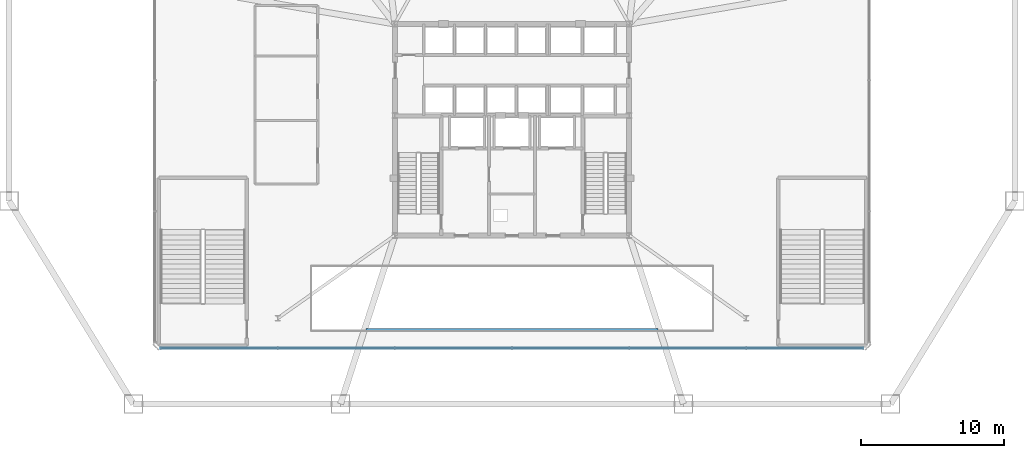
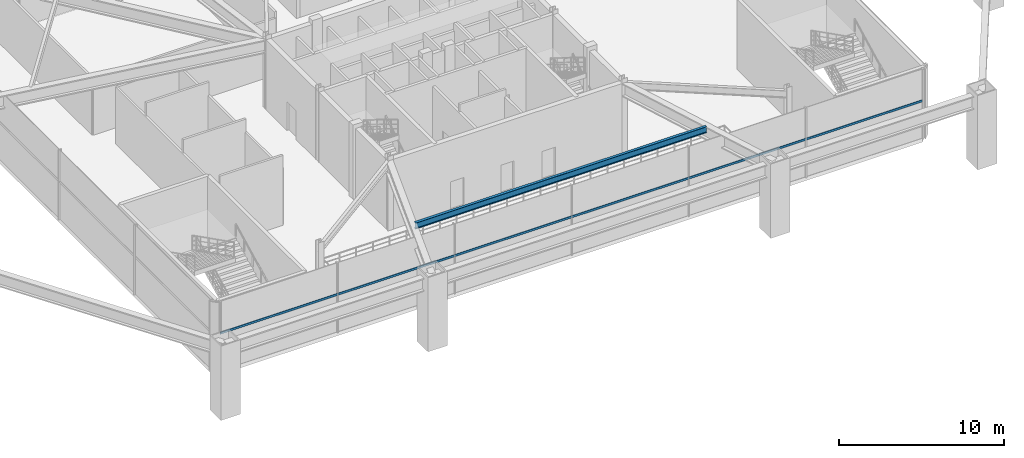
# One storey, part 7 of 18: 1 beam, 1 member, 1 element without a shape of its own.
"""IFC4 building model written with IfcOpenShell, lengths in metres."""

from ifc_helpers import new_model, si_unit, direction, frame, origin, origin_2d, place, context, subcontext, project, spatial, rectangle, i_section, extrude, source, transform, mapped, material, layer, layer_set, material_profile, profile_set, type_object, type_shapes, element, aggregate, save


model = new_model("IFC4")

# Units and contexts
model_context = context("Model", 3, precision=1e-05, world=origin(), true_north=direction((0.0, 1.0)))
body_context = subcontext(model_context, "Body", "Model", "MODEL_VIEW")
ifc_project = project(units=[si_unit("LENGTHUNIT", "METRE"), si_unit("AREAUNIT", "SQUARE_METRE"), si_unit("VOLUMEUNIT", "CUBIC_METRE"), si_unit("PLANEANGLEUNIT", "RADIAN"), si_unit("MASSUNIT", "GRAM", prefix="KILO")], contexts=[model_context])

# Site, building, storey
site_placement = place(None, origin())
site = spatial("IfcSite", under=ifc_project, at=site_placement, CompositionType="ELEMENT")
building_placement = place(site_placement, origin())
building = spatial("IfcBuilding", under=site, at=building_placement, Name="Varakhsha Concourse Tower", CompositionType="ELEMENT")
storey_placement = place(building_placement, frame((0.0, 0.0, 5.5)))
storey = spatial("IfcBuildingStorey", under=building, at=storey_placement, Name="L02", CompositionType="ELEMENT", Elevation=5.5)

# Beam
ifc_material_1 = material(Name="Structural Steel ASTM A992 Grade 50", Category="steel")
ifc_material_profile_1 = material_profile(ifc_material_1, i_section(OverallWidth=0.19091796875, OverallDepth=0.45703125, WebThickness=0.009033203125, FlangeThickness=0.013916015625, at=origin_2d()), Name="W18X50")
ifc_profile_set_1 = profile_set([ifc_material_profile_1], Name="Structural Steel ASTM A992 Grade 50")
beam_type = type_object("IfcBeamType", Name="BM-JST-W18X50", PredefinedType="JOIST", material=ifc_profile_set_1)
beam_placement = place(storey_placement, frame((29.7919921875, 9.7919921875, 4.951416015625), z_axis=(1.0, 0.0, 0.0), x_axis=(0.0, 1.0, 0.0)))
element("IfcBeam", 1, at=beam_placement, inside=storey, type_object=beam_type, Name="BM-PJST-L02-02", PredefinedType="JOIST", context=body_context, shape_type="SweptSolid", body=[
    extrude(i_section(OverallWidth=0.19091796875, OverallDepth=0.45703125, WebThickness=0.009033203125, FlangeThickness=0.013916015625, at=origin_2d()), origin(), (0.0, 0.0, 1.0), 20.416015625),
])

# Curtain wall, member
ifc_material_2 = material(Name="Anodised Bronze Architectural Aluminium AA 6063-T6", Category="aluminium")
ifc_layer = layer(ifc_material_2, 0.239990234375, Name="CW-SYS-01")
ifc_layer_set = layer_set([ifc_layer], Name="Anodised Bronze Architectural Aluminium AA 6063-T6")
curtain_wall_type = type_object("IfcCurtainWallType", Name="CW-SYS-01", PredefinedType="NOTDEFINED", material=ifc_layer_set)
curtain_wall_placement = place(storey_placement, origin())
curtain_wall = element("IfcCurtainWall", 2, at=curtain_wall_placement, inside=storey, type_object=curtain_wall_type, Name="L02 Mezzanine Curtain Wall 01", PredefinedType="NOTDEFINED")
ifc_material_profile_2 = material_profile(ifc_material_2, rectangle(XDim=0.06494140625, YDim=0.159912109375, at=origin_2d()), Name="CWT-160X65")
ifc_profile_set_2 = profile_set([ifc_material_profile_2], Name="Anodised Bronze Architectural Aluminium AA 6063-T6")
member_type = type_object("IfcMemberType", Name="CWT-160X65", PredefinedType="USERDEFINED", material=ifc_profile_set_2)
shared_shape = source(origin(), body_context, "Body", "SweptSolid", [
    extrude(rectangle(XDim=0.06494140625, YDim=0.159912109375, at=origin_2d()), origin(), (0.0, 0.0, 1.0), 49.2001953125),
])
type_shapes(member_type, [shared_shape])
member_placement = place(storey_placement, frame((15.39990234375, 8.5, 2.800048828125), z_axis=(1.0, 0.0, 0.0), x_axis=(0.0, 1.0, 0.0)))
member = element("IfcMember", 3, at=member_placement, type_object=member_type, Name="CW-L02-01 Transom 01", ObjectType="TRANSOM", PredefinedType="USERDEFINED", context=body_context, shape_type="MappedRepresentation", body=[
    mapped(shared_shape, transform((0.0, 0.0, 0.0), scale=1.0)),
])
aggregate(curtain_wall, [member])

save(model, "model.ifc")
